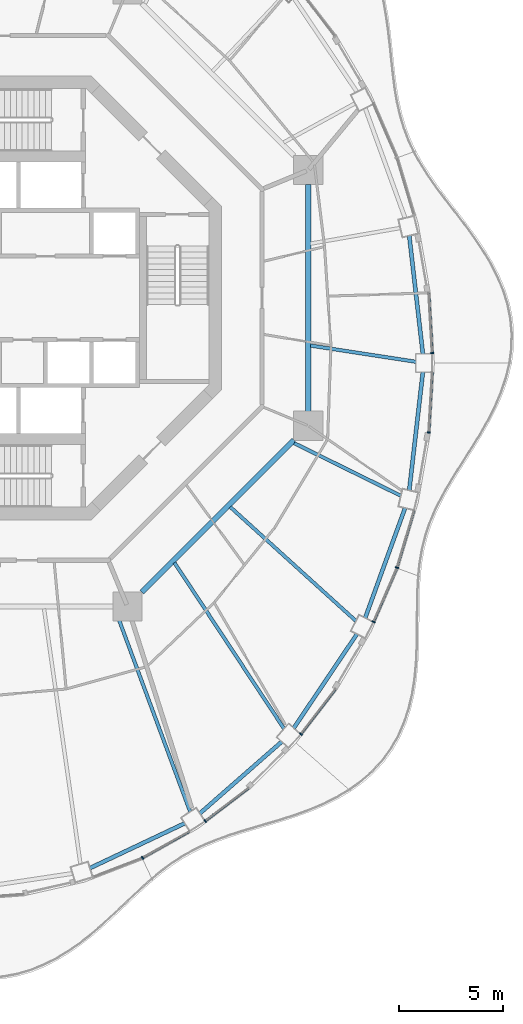
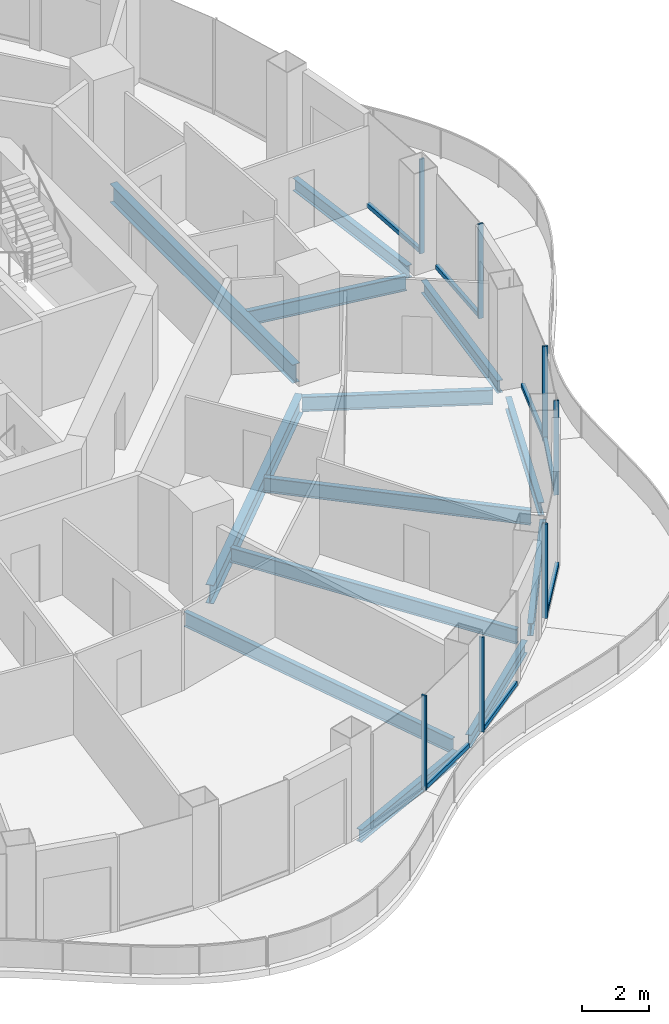
# One storey, part 4 of 17: 14 members, 13 beams, 7 elements without a shape of their own.
"""IFC4 building model written with IfcOpenShell, lengths in metres."""

from ifc_helpers import new_model, si_unit, direction, frame, origin, origin_2d, place, context, subcontext, project, spatial, rectangle, i_section, extrude, material, layer, layer_set, material_profile, profile_set, type_object, element, aggregate, save


model = new_model("IFC4")

# Units and contexts
model_context = context("Model", 3, precision=1e-05, world=origin(), true_north=direction((0.0, 1.0)))
body_context = subcontext(model_context, "Body", "Model", "MODEL_VIEW")
ifc_project = project(units=[si_unit("LENGTHUNIT", "METRE"), si_unit("AREAUNIT", "SQUARE_METRE"), si_unit("VOLUMEUNIT", "CUBIC_METRE"), si_unit("PLANEANGLEUNIT", "RADIAN"), si_unit("MASSUNIT", "GRAM", prefix="KILO")], contexts=[model_context])

# Site, building, storey
site_placement = place(None, origin())
site = spatial("IfcSite", under=ifc_project, at=site_placement, CompositionType="ELEMENT")
building_placement = place(site_placement, origin())
building = spatial("IfcBuilding", under=site, at=building_placement, Name="Nagisa Residences", CompositionType="ELEMENT")
storey_placement = place(building_placement, frame((0.0, 0.0, 277.0)))
storey = spatial("IfcBuildingStorey", under=building, at=storey_placement, Name="L70", CompositionType="ELEMENT", Elevation=277.0)

# Curtain wall, member
ifc_material_1 = material(Name="Concrete-coloured aluminium curtain wall system", Category="concrete")
ifc_layer = layer(ifc_material_1, 0.159912109375)
ifc_layer_set = layer_set([ifc_layer], Name="CW1 CURTAIN WALL")
curtain_wall_type = type_object("IfcCurtainWallType", Name="CW1 CURTAIN WALL", PredefinedType="NOTDEFINED", material=ifc_layer_set)
curtain_wall_1_placement = place(storey_placement, origin())
curtain_wall_1 = element("IfcCurtainWall", 1, at=curtain_wall_1_placement, inside=storey, type_object=curtain_wall_type, Name="cw:CW1:L70:00", PredefinedType="NOTDEFINED")
ifc_material_2 = material(Name="Concrete-coloured aluminium", Category="concrete")
ifc_material_profile_1 = material_profile(ifc_material_2, rectangle(XDim=0.159912109375, YDim=0.06005859375, at=origin_2d()), Name="CW1 MULLION 160x60")
ifc_profile_set_1 = profile_set([ifc_material_profile_1], Name="Concrete-coloured aluminium")
member_type_1 = type_object("IfcMemberType", Name="CW1 MULLION 160x60", PredefinedType="MULLION", material=ifc_profile_set_1)
member_1_placement = place(storey_placement, frame((20.712646484375, -2.64306640625, 0.0), z_axis=(0.0, 0.0, 1.0), x_axis=(-0.998345305184, -0.057503492216, 0.0)))
member_1 = element("IfcMember", 2, at=member_1_placement, type_object=member_type_1, Name="CW1 mullion", PredefinedType="MULLION", context=body_context, shape_type="SweptSolid", body=[
    extrude(rectangle(XDim=0.159912109375, YDim=0.06005859375, at=origin_2d()), origin(), (0.0, 0.0, 1.0), 3.43994140625),
])

curtain_wall_2_placement = place(storey_placement, origin())
curtain_wall_2 = element("IfcCurtainWall", 3, at=curtain_wall_2_placement, inside=storey, type_object=curtain_wall_type, Name="cw:CW1:L70:39", PredefinedType="NOTDEFINED")
member_2_placement = place(storey_placement, frame((6.84326171875, -26.81396484375, 0.0), z_axis=(0.0, 0.0, 1.0), x_axis=(-0.489376918501, 0.872072377523, 0.0)))
member_2 = element("IfcMember", 4, at=member_2_placement, type_object=member_type_1, Name="CW1 mullion", PredefinedType="MULLION", context=body_context, shape_type="SweptSolid", body=[
    extrude(rectangle(XDim=0.159912109375, YDim=0.06005859375, at=origin_2d()), origin(), (0.0, 0.0, 1.0), 3.43994140625),
])

curtain_wall_3_placement = place(storey_placement, origin())
curtain_wall_3 = element("IfcCurtainWall", 5, at=curtain_wall_3_placement, inside=storey, type_object=curtain_wall_type, Name="cw:CW1:L70:40", PredefinedType="NOTDEFINED")
member_3_placement = place(storey_placement, frame((9.84375, -25.054931640625, 0.0), z_axis=(0.0, 0.0, 1.0), x_axis=(-0.605255421737, 0.79603132756, 0.0)))
member_3 = element("IfcMember", 6, at=member_3_placement, type_object=member_type_1, Name="CW1 mullion", PredefinedType="MULLION", context=body_context, shape_type="SweptSolid", body=[
    extrude(rectangle(XDim=0.159912109375, YDim=0.06005859375, at=origin_2d()), origin(), (0.0, 0.0, 1.0), 3.43994140625),
])

curtain_wall_4_placement = place(storey_placement, origin())
curtain_wall_4 = element("IfcCurtainWall", 7, at=curtain_wall_4_placement, inside=storey, type_object=curtain_wall_type, Name="cw:CW1:L70:42", PredefinedType="NOTDEFINED")
member_4_placement = place(storey_placement, frame((14.42431640625, -20.8896484375, 0.0), z_axis=(0.0, 0.0, 1.0), x_axis=(-0.792070340816, 0.610429828235, 0.0)))
member_4 = element("IfcMember", 8, at=member_4_placement, type_object=member_type_1, Name="CW1 mullion", PredefinedType="MULLION", context=body_context, shape_type="SweptSolid", body=[
    extrude(rectangle(XDim=0.159912109375, YDim=0.06005859375, at=origin_2d()), origin(), (0.0, 0.0, 1.0), 3.43994140625),
])

curtain_wall_5_placement = place(storey_placement, origin())
curtain_wall_5 = element("IfcCurtainWall", 9, at=curtain_wall_5_placement, inside=storey, type_object=curtain_wall_type, Name="cw:CW1:L70:44", PredefinedType="NOTDEFINED")
member_5_placement = place(storey_placement, frame((17.906982421875, -15.515380859375, 0.0), z_axis=(0.0, 0.0, 1.0), x_axis=(-0.917543276295, 0.397635934147, 0.0)))
member_5 = element("IfcMember", 10, at=member_5_placement, type_object=member_type_1, Name="CW1 mullion", PredefinedType="MULLION", context=body_context, shape_type="SweptSolid", body=[
    extrude(rectangle(XDim=0.159912109375, YDim=0.06005859375, at=origin_2d()), origin(), (0.0, 0.0, 1.0), 3.43994140625),
])

curtain_wall_6_placement = place(storey_placement, origin())
curtain_wall_6 = element("IfcCurtainWall", 11, at=curtain_wall_6_placement, inside=storey, type_object=curtain_wall_type, Name="cw:CW1:L70:45", PredefinedType="NOTDEFINED")
member_6_placement = place(storey_placement, frame((19.030029296875, -12.916259765625, 0.0), z_axis=(0.0, 0.0, 1.0), x_axis=(-0.958271310082, 0.285860274038, 0.0)))
member_6 = element("IfcMember", 12, at=member_6_placement, type_object=member_type_1, Name="CW1 mullion", PredefinedType="MULLION", context=body_context, shape_type="SweptSolid", body=[
    extrude(rectangle(XDim=0.159912109375, YDim=0.06005859375, at=origin_2d()), origin(), (0.0, 0.0, 1.0), 3.43994140625),
])

curtain_wall_7_placement = place(storey_placement, origin())
curtain_wall_7 = element("IfcCurtainWall", 13, at=curtain_wall_7_placement, inside=storey, type_object=curtain_wall_type, Name="cw:CW1:L70:47", PredefinedType="NOTDEFINED")
member_7_placement = place(storey_placement, frame((20.54833984375, -6.44287109375, 0.0), z_axis=(0.0, 0.0, 1.0), x_axis=(-0.998345305184, 0.057503492216, 0.0)))
member_7 = element("IfcMember", 14, at=member_7_placement, type_object=member_type_1, Name="CW1 mullion", PredefinedType="MULLION", context=body_context, shape_type="SweptSolid", body=[
    extrude(rectangle(XDim=0.159912109375, YDim=0.06005859375, at=origin_2d()), origin(), (0.0, 0.0, 1.0), 3.43994140625),
])

# Member
ifc_material_3 = material(Name="Concrete-coloured aluminium", Category="concrete")
ifc_material_profile_2 = material_profile(ifc_material_3, rectangle(XDim=0.1201171875, YDim=0.14990234375, at=origin_2d()), Name="CW1 TRANSOM 120x150")
ifc_profile_set_2 = profile_set([ifc_material_profile_2], Name="Concrete-coloured aluminium")
member_type_2 = type_object("IfcMemberType", Name="CW1 TRANSOM 120x150", PredefinedType="USERDEFINED", material=ifc_profile_set_2)
member_8_placement = place(storey_placement, frame((20.71435546875, -2.673095703125, 0.074951171875), z_axis=(-0.057529123486, 0.998343828524, 0.0), x_axis=(-0.998343828524, -0.057529123486, 0.0)))
member_8 = element("IfcMember", 15, at=member_8_placement, type_object=member_type_2, Name="CW1 transom", ObjectType="TRANSOM", PredefinedType="USERDEFINED", context=body_context, shape_type="SweptSolid", body=[
    extrude(rectangle(XDim=0.1201171875, YDim=0.14990234375, at=origin_2d()), origin(), (0.0, 0.0, 1.0), 2.91552734375),
])

aggregate(curtain_wall_1, [member_1, member_8])

member_9_placement = place(storey_placement, frame((6.817138671875, -26.82861328125, 0.074951171875), z_axis=(0.872052877201, 0.489411666561, 0.0), x_axis=(-0.489411666561, 0.872052877201, 0.0)))
member_9 = element("IfcMember", 16, at=member_9_placement, type_object=member_type_2, Name="CW1 transom", ObjectType="TRANSOM", PredefinedType="USERDEFINED", context=body_context, shape_type="SweptSolid", body=[
    extrude(rectangle(XDim=0.1201171875, YDim=0.14990234375, at=origin_2d()), origin(), (0.0, 0.0, 1.0), 2.593017578125),
])

aggregate(curtain_wall_2, [member_2, member_9])

member_10_placement = place(storey_placement, frame((9.81982421875, -25.0732421875, 0.074951171875), z_axis=(0.796010739377, 0.605282498339, 0.0), x_axis=(-0.605282498339, 0.796010739377, 0.0)))
member_10 = element("IfcMember", 17, at=member_10_placement, type_object=member_type_2, Name="CW1 transom", ObjectType="TRANSOM", PredefinedType="USERDEFINED", context=body_context, shape_type="SweptSolid", body=[
    extrude(rectangle(XDim=0.1201171875, YDim=0.14990234375, at=origin_2d()), origin(), (0.0, 0.0, 1.0), 2.640625),
])

aggregate(curtain_wall_3, [member_3, member_10])

member_11_placement = place(storey_placement, frame((14.406005859375, -20.913330078125, 0.074951171875), z_axis=(0.610432336622, 0.792068407656, 0.0), x_axis=(-0.792068407656, 0.610432336622, 0.0)))
member_11 = element("IfcMember", 18, at=member_11_placement, type_object=member_type_2, Name="CW1 transom", ObjectType="TRANSOM", PredefinedType="USERDEFINED", context=body_context, shape_type="SweptSolid", body=[
    extrude(rectangle(XDim=0.1201171875, YDim=0.14990234375, at=origin_2d()), origin(), (0.0, 0.0, 1.0), 2.74609375),
])

aggregate(curtain_wall_4, [member_4, member_11])

member_12_placement = place(storey_placement, frame((17.89501953125, -15.54296875, 0.074951171875), z_axis=(0.397597791596, 0.9175598052, 0.0), x_axis=(-0.9175598052, 0.397597791596, 0.0)))
member_12 = element("IfcMember", 19, at=member_12_placement, type_object=member_type_2, Name="CW1 transom", ObjectType="TRANSOM", PredefinedType="USERDEFINED", context=body_context, shape_type="SweptSolid", body=[
    extrude(rectangle(XDim=0.1201171875, YDim=0.14990234375, at=origin_2d()), origin(), (0.0, 0.0, 1.0), 2.841064453125),
])

aggregate(curtain_wall_5, [member_5, member_12])

member_13_placement = place(storey_placement, frame((19.021484375, -12.945068359375, 0.074951171875), z_axis=(0.285876209024, 0.9582665564, 0.0), x_axis=(-0.9582665564, 0.285876209024, 0.0)))
member_13 = element("IfcMember", 20, at=member_13_placement, type_object=member_type_2, Name="CW1 transom", ObjectType="TRANSOM", PredefinedType="USERDEFINED", context=body_context, shape_type="SweptSolid", body=[
    extrude(rectangle(XDim=0.1201171875, YDim=0.14990234375, at=origin_2d()), origin(), (0.0, 0.0, 1.0), 2.877197265625),
])

aggregate(curtain_wall_6, [member_6, member_13])

member_14_placement = place(storey_placement, frame((20.546630859375, -6.472900390625, 0.074951171875), z_axis=(0.057529123486, 0.998343828524, 0.0), x_axis=(-0.998343828524, 0.057529123486, 0.0)))
member_14 = element("IfcMember", 21, at=member_14_placement, type_object=member_type_2, Name="CW1 transom", ObjectType="TRANSOM", PredefinedType="USERDEFINED", context=body_context, shape_type="SweptSolid", body=[
    extrude(rectangle(XDim=0.1201171875, YDim=0.14990234375, at=origin_2d()), origin(), (0.0, 0.0, 1.0), 2.91552734375),
])

aggregate(curtain_wall_7, [member_7, member_14])

# Beams
ifc_material_4 = material(Name="Steel ASTM A572 Gr 50", Category="steel")
ifc_material_profile_3 = material_profile(ifc_material_4, i_section(OverallWidth=0.2529296875, OverallDepth=0.677978515625, WebThickness=0.01171875, FlangeThickness=0.016357421875, at=origin_2d()), Name="W690x125")
ifc_profile_set_3 = profile_set([ifc_material_profile_3], Name="Steel ASTM A572 Gr 50")
beam_type_1 = type_object("IfcBeamType", Name="Inner ring beam W690x125", PredefinedType="BEAM", material=ifc_profile_set_3)
beam_1_placement = place(storey_placement, frame((6.808837890625, -14.09619140625, -0.59912109375), z_axis=(0.707106781187, 0.707106781187, 0.0), x_axis=(-0.707106781187, 0.707106781187, 0.0)))
element("IfcBeam", 22, at=beam_1_placement, inside=storey, type_object=beam_type_1, Name="beam:L70:ib7", PredefinedType="BEAM", context=body_context, shape_type="SweptSolid", body=[
    extrude(i_section(OverallWidth=0.2529296875, OverallDepth=0.677978515625, WebThickness=0.01171875, FlangeThickness=0.016357421875, at=origin_2d()), origin(), (0.0, 0.0, 1.0), 10.305908203125),
])
beam_2_placement = place(storey_placement, frame((14.781982421875, -5.44287109375, -0.59912109375), z_axis=(0.0, 1.0, 0.0), x_axis=(-1.0, 0.0, 0.0)))
element("IfcBeam", 23, at=beam_2_placement, inside=storey, type_object=beam_type_1, Name="beam:L70:ib8", PredefinedType="BEAM", context=body_context, shape_type="SweptSolid", body=[
    extrude(i_section(OverallWidth=0.2529296875, OverallDepth=0.677978515625, WebThickness=0.01171875, FlangeThickness=0.016357421875, at=origin_2d()), origin(), (0.0, 0.0, 1.0), 10.8857421875),
])
ifc_material_5 = material(Name="Steel ASTM A572 Gr 50", Category="steel")
ifc_material_profile_4 = material_profile(ifc_material_5, i_section(OverallWidth=0.18994140625, OverallDepth=0.45703125, WebThickness=0.009033203125, FlangeThickness=0.014404296875, at=origin_2d()), Name="W460x74")
ifc_profile_set_4 = profile_set([ifc_material_profile_4], Name="Steel ASTM A572 Gr 50")
beam_type_2 = type_object("IfcBeamType", Name="Perimeter ring beam W460x74", PredefinedType="BEAM", material=ifc_profile_set_4)
beam_3_placement = place(storey_placement, frame((20.270263671875, -2.6875, -0.488525390625), z_axis=(-0.114593271741, 0.993412493414, 0.0), x_axis=(-0.993412493414, -0.114593271741, 0.0)))
element("IfcBeam", 24, at=beam_3_placement, inside=storey, type_object=beam_type_2, Name="beam:L70:pb01", PredefinedType="BEAM", context=body_context, shape_type="SweptSolid", body=[
    extrude(i_section(OverallWidth=0.18994140625, OverallDepth=0.45703125, WebThickness=0.009033203125, FlangeThickness=0.014404296875, at=origin_2d()), origin(), (0.0, 0.0, 1.0), 5.709716796875),
])
beam_4_placement = place(storey_placement, frame((4.318115234375, -27.311767578125, -0.488525390625), z_axis=(0.904115893837, 0.427287316113, 0.0), x_axis=(-0.427287316113, 0.904115893837, 0.0)))
element("IfcBeam", 25, at=beam_4_placement, inside=storey, type_object=beam_type_2, Name="beam:L70:pb20", PredefinedType="BEAM", context=body_context, shape_type="SweptSolid", body=[
    extrude(i_section(OverallWidth=0.18994140625, OverallDepth=0.45703125, WebThickness=0.009033203125, FlangeThickness=0.014404296875, at=origin_2d()), origin(), (0.0, 0.0, 1.0), 5.031494140625),
])
beam_5_placement = place(storey_placement, frame((9.586669921875, -24.690185546875, -0.488525390625), z_axis=(0.752385480596, 0.658723074279, 0.0), x_axis=(-0.658723074279, 0.752385480596, 0.0)))
element("IfcBeam", 26, at=beam_5_placement, inside=storey, type_object=beam_type_2, Name="beam:L70:pb21", PredefinedType="BEAM", context=body_context, shape_type="SweptSolid", body=[
    extrude(i_section(OverallWidth=0.18994140625, OverallDepth=0.45703125, WebThickness=0.009033203125, FlangeThickness=0.014404296875, at=origin_2d()), origin(), (0.0, 0.0, 1.0), 5.220947265625),
])
beam_6_placement = place(storey_placement, frame((14.083251953125, -20.605224609375, -0.488525390625), z_axis=(0.558045612854, 0.829810275891, 0.0), x_axis=(-0.829810275891, 0.558045612854, 0.0)))
element("IfcBeam", 27, at=beam_6_placement, inside=storey, type_object=beam_type_2, Name="beam:L70:pb22", PredefinedType="BEAM", context=body_context, shape_type="SweptSolid", body=[
    extrude(i_section(OverallWidth=0.18994140625, OverallDepth=0.45703125, WebThickness=0.009033203125, FlangeThickness=0.014404296875, at=origin_2d()), origin(), (0.0, 0.0, 1.0), 5.432373046875),
])
beam_7_placement = place(storey_placement, frame((17.50439453125, -15.330322265625, -0.488525390625), z_axis=(0.341211850477, 0.93998642176, 0.0), x_axis=(-0.93998642176, 0.341211850477, 0.0)))
element("IfcBeam", 28, at=beam_7_placement, inside=storey, type_object=beam_type_2, Name="beam:L70:pb23", PredefinedType="BEAM", context=body_context, shape_type="SweptSolid", body=[
    extrude(i_section(OverallWidth=0.18994140625, OverallDepth=0.45703125, WebThickness=0.009033203125, FlangeThickness=0.014404296875, at=origin_2d()), origin(), (0.0, 0.0, 1.0), 5.609619140625),
])
beam_8_placement = place(storey_placement, frame((19.615966796875, -9.219970703125, -0.488525390625), z_axis=(0.114593271741, 0.993412493414, 0.0), x_axis=(-0.993412493414, 0.114593271741, 0.0)))
element("IfcBeam", 29, at=beam_8_placement, inside=storey, type_object=beam_type_2, Name="beam:L70:pb24", PredefinedType="BEAM", context=body_context, shape_type="SweptSolid", body=[
    extrude(i_section(OverallWidth=0.18994140625, OverallDepth=0.45703125, WebThickness=0.009033203125, FlangeThickness=0.014404296875, at=origin_2d()), origin(), (0.0, 0.0, 1.0), 5.709716796875),
])
ifc_material_6 = material(Name="Steel ASTM A572 Gr 50", Category="steel")
ifc_material_profile_5 = material_profile(ifc_material_6, i_section(OverallWidth=0.166015625, OverallDepth=0.534912109375, WebThickness=0.01025390625, FlangeThickness=0.0166015625, at=origin_2d()), Name="W530x85")
ifc_profile_set_5 = profile_set([ifc_material_profile_5], Name="Steel ASTM A572 Gr 50")
beam_type_3 = type_object("IfcBeamType", Name="Radial beam W530x85", PredefinedType="BEAM", material=ifc_profile_set_5)
beam_9_placement = place(storey_placement, frame((19.939697265625, -3.059326171875, -0.527587890625), z_axis=(-0.988434580655, 0.151647880849, 0.0), x_axis=(-0.151647880849, -0.988434580655, 0.0)))
element("IfcBeam", 30, at=beam_9_placement, inside=storey, type_object=beam_type_3, Name="beam:L70:rb01", PredefinedType="BEAM", context=body_context, shape_type="SweptSolid", body=[
    extrude(i_section(OverallWidth=0.166015625, OverallDepth=0.534912109375, WebThickness=0.01025390625, FlangeThickness=0.0166015625, at=origin_2d()), origin(), (0.0, 0.0, 1.0), 5.10986328125),
])
beam_10_placement = place(storey_placement, frame((9.124267578125, -24.610107421875, -0.527587890625), z_axis=(-0.347626513472, 0.93763308769, 0.0), x_axis=(-0.93763308769, -0.347626513472, 0.0)))
element("IfcBeam", 31, at=beam_10_placement, inside=storey, type_object=beam_type_3, Name="beam:L70:rb21", PredefinedType="BEAM", context=body_context, shape_type="SweptSolid", body=[
    extrude(i_section(OverallWidth=0.166015625, OverallDepth=0.534912109375, WebThickness=0.01025390625, FlangeThickness=0.0166015625, at=origin_2d()), origin(), (0.0, 0.0, 1.0), 10.36669921875),
])
beam_11_placement = place(storey_placement, frame((13.623779296875, -20.6357421875, -0.527587890625), z_axis=(-0.550958197916, 0.834532841864, 0.0), x_axis=(-0.834532841864, -0.550958197916, 0.0)))
element("IfcBeam", 32, at=beam_11_placement, inside=storey, type_object=beam_type_3, Name="beam:L70:rb22", PredefinedType="BEAM", context=body_context, shape_type="SweptSolid", body=[
    extrude(i_section(OverallWidth=0.166015625, OverallDepth=0.534912109375, WebThickness=0.01025390625, FlangeThickness=0.0166015625, at=origin_2d()), origin(), (0.0, 0.0, 1.0), 9.52978515625),
])
beam_12_placement = place(storey_placement, frame((17.064208984375, -15.47265625, -0.527587890625), z_axis=(-0.740818788558, 0.671704937096, 0.0), x_axis=(-0.671704937096, -0.740818788558, 0.0)))
element("IfcBeam", 33, at=beam_12_placement, inside=storey, type_object=beam_type_3, Name="beam:L70:rb23", PredefinedType="BEAM", context=body_context, shape_type="SweptSolid", body=[
    extrude(i_section(OverallWidth=0.166015625, OverallDepth=0.534912109375, WebThickness=0.01025390625, FlangeThickness=0.0166015625, at=origin_2d()), origin(), (0.0, 0.0, 1.0), 8.128173828125),
])
beam_13_placement = place(storey_placement, frame((19.216064453125, -9.4775390625, -0.527587890625), z_axis=(-0.896862727732, 0.442308995618, 0.0), x_axis=(-0.442308995618, -0.896862727732, 0.0)))
element("IfcBeam", 34, at=beam_13_placement, inside=storey, type_object=beam_type_3, Name="beam:L70:rb24", PredefinedType="BEAM", context=body_context, shape_type="SweptSolid", body=[
    extrude(i_section(OverallWidth=0.166015625, OverallDepth=0.534912109375, WebThickness=0.01025390625, FlangeThickness=0.0166015625, at=origin_2d()), origin(), (0.0, 0.0, 1.0), 5.702392578125),
])

save(model, "model.ifc")
